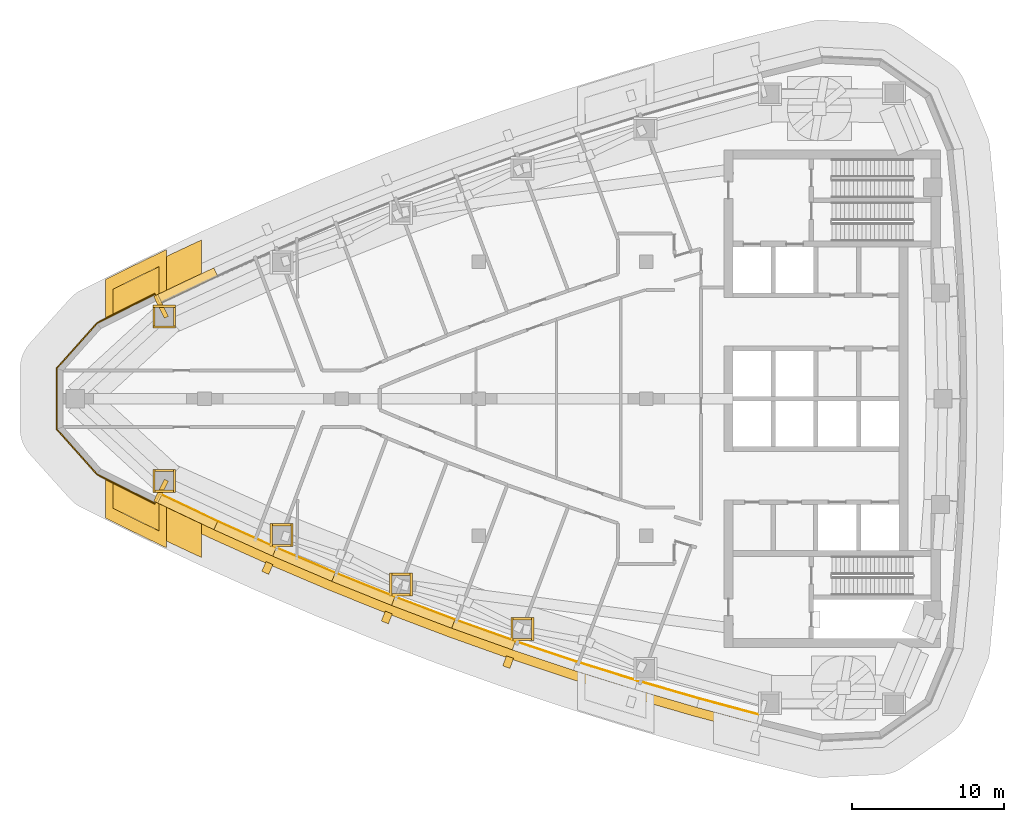
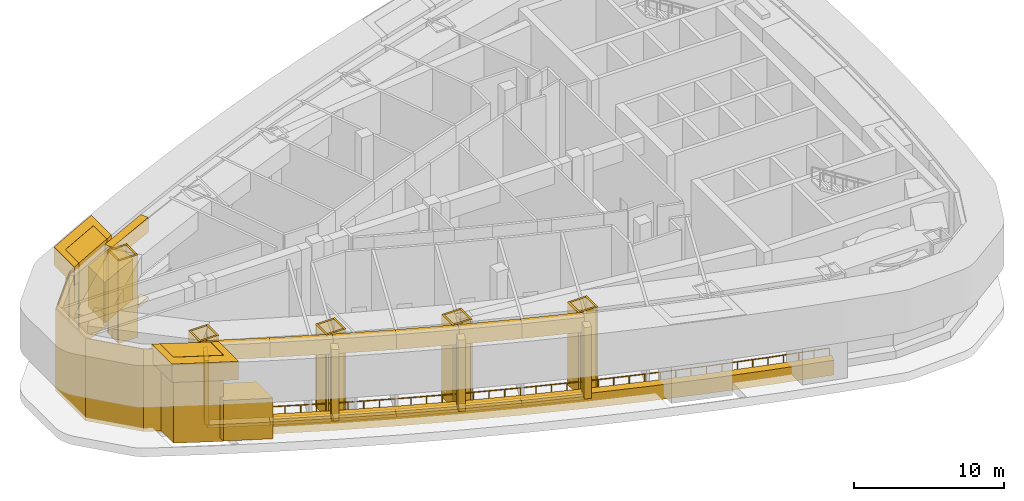
# One storey, part 7 of 12: 51 coverings, 1 railing.
"""IFC4 building model written with IfcOpenShell, lengths in metres."""

from ifc_helpers import new_model, si_unit, direction, frame, frame_2d, origin, origin_2d, place, context, subcontext, project, spatial, polyline, rectangle, circle, outline, extrude, material, layer, layer_set, type_object, element, save


model = new_model("IFC4")

# Units and contexts
model_context = context("Model", 3, precision=1e-05, world=origin(), true_north=direction((0.0, 1.0)))
body_context = subcontext(model_context, "Body", "Model", "MODEL_VIEW")
ifc_project = project(units=[si_unit("LENGTHUNIT", "METRE"), si_unit("AREAUNIT", "SQUARE_METRE"), si_unit("VOLUMEUNIT", "CUBIC_METRE"), si_unit("PLANEANGLEUNIT", "RADIAN"), si_unit("MASSUNIT", "GRAM", prefix="KILO")], contexts=[model_context])

# Site, building, storey
site_placement = place(None, origin())
site = spatial("IfcSite", under=ifc_project, at=site_placement, CompositionType="ELEMENT")
building_placement = place(site_placement, origin())
building = spatial("IfcBuilding", under=site, at=building_placement, Name="Ostrand Prow Hotel Tower", CompositionType="ELEMENT")
storey_placement = place(building_placement, frame((0.0, 0.0, 256.300048828125)))
storey = spatial("IfcBuildingStorey", under=building, at=storey_placement, Name="L65", CompositionType="ELEMENT", Elevation=256.300048828125)

# Coverings
ifc_material_1 = material(Name="Limestone cladding", Category="masonry")
ifc_layer_1 = layer(ifc_material_1, 2.0)
ifc_layer_set_1 = layer_set([ifc_layer_1], Name="Limestone cladding")
covering_type_1 = type_object("IfcCoveringType", Name="Belt lip limestone", PredefinedType="CLADDING", material=ifc_layer_set_1)
covering_1_placement = place(storey_placement, frame((0.0, 0.0, 0.300048828125)))
element("IfcCovering", 1, at=covering_1_placement, inside=storey, type_object=covering_type_1, Name="Slot frame post SA", PredefinedType="CLADDING", context=body_context, shape_type="SweptSolid", body=[
    extrude(outline(polyline([(12.788818359375, -6.784912109375), (12.788818359375, -9.007080078125), (13.538818359375, -9.366455078125), (14.288818359375, -9.72216796875), (15.038818359375, -10.07421875), (15.788818359375, -10.4228515625), (15.788818359375, -8.21728515625), (15.038818359375, -7.864501953125), (14.288818359375, -7.50830078125), (13.538818359375, -7.1484375), (12.788818359375, -6.784912109375)])), origin(), (0.0, 0.0, 1.0), 3.2998046875),
])
covering_2_placement = place(storey_placement, frame((0.0, 0.0, 0.300048828125)))
element("IfcCovering", 2, at=covering_2_placement, inside=storey, type_object=covering_type_1, Name="Slot frame post NA", PredefinedType="CLADDING", context=body_context, shape_type="SweptSolid", body=[
    extrude(outline(polyline([(12.788818359375, 6.784912109375), (13.538818359375, 7.1484375), (14.288818359375, 7.50830078125), (15.038818359375, 7.864501953125), (15.788818359375, 8.21728515625), (15.788818359375, 10.4228515625), (15.038818359375, 10.07421875), (14.288818359375, 9.72216796875), (13.538818359375, 9.366455078125), (12.788818359375, 9.007080078125), (12.788818359375, 6.784912109375)])), origin(), (0.0, 0.0, 1.0), 3.2998046875),
])
ifc_material_2 = material(Name="Bronze anodised aluminium cladding", Category="aluminium")
ifc_layer_2 = layer(ifc_material_2, 0.60009765625)
ifc_layer_set_2 = layer_set([ifc_layer_2], Name="Bronze anodised aluminium cladding")
covering_type_2 = type_object("IfcCoveringType", Name="Bronze spandrel band 1200x600", PredefinedType="CLADDING", material=ifc_layer_set_2)
covering_3_placement = place(storey_placement, frame((0.0, 0.0, -0.300048828125)))
element("IfcCovering", 3, at=covering_3_placement, inside=storey, type_object=covering_type_2, Name="Spandrel band S1", PredefinedType="CLADDING", context=body_context, shape_type="SweptSolid", body=[
    extrude(outline(polyline([(12.526123046875, -7.324462890625), (16.35693359375, -9.14306640625), (20.2236328125, -10.88427734375), (24.12451171875, -12.547119140625), (28.058349609375, -14.131103515625), (32.02294921875, -15.635498046875), (36.017333984375, -17.059814453125), (40.039306640625, -18.403564453125), (44.087890625, -19.665771484375), (48.16064453125, -20.846435546875), (52.256591796875, -21.944580078125), (52.40625, -21.363525390625), (48.322021484375, -20.268310546875), (44.260498046875, -19.09130859375), (40.223876953125, -17.83251953125), (36.213134765625, -16.49267578125), (32.230224609375, -15.072509765625), (28.27685546875, -13.572265625), (24.354248046875, -11.992919921875), (20.464599609375, -10.334716796875), (16.60888671875, -8.598388671875), (12.788818359375, -6.784912109375), (12.526123046875, -7.324462890625)])), origin(), (0.0, 0.0, 1.0), 1.199951171875),
])
ifc_material_3 = material(Name="Limestone cladding", Category="masonry")
ifc_layer_3 = layer(ifc_material_3, 5.0)
ifc_layer_set_3 = layer_set([ifc_layer_3], Name="Limestone cladding")
covering_type_3 = type_object("IfcCoveringType", Name="Portal jamb pilaster limestone", PredefinedType="CLADDING", material=ifc_layer_set_3)
covering_4_placement = place(storey_placement, origin())
element("IfcCovering", 4, at=covering_4_placement, inside=storey, type_object=covering_type_3, Name="Portal jamb SA L65", PredefinedType="CLADDING", context=body_context, shape_type="SweptSolid", body=[
    extrude(outline(polyline([(10.0, -5.40087890625), (10.0, -7.19189453125), (11.0, -7.689453125), (12.0, -8.180419921875), (13.0, -8.664794921875), (13.0, -6.8876953125), (12.0, -6.398681640625), (11.0, -5.903076171875), (10.0, -5.40087890625)])), origin(), (0.0, 0.0, 1.0), 7.0),
])
covering_5_placement = place(storey_placement, origin())
element("IfcCovering", 5, at=covering_5_placement, inside=storey, type_object=covering_type_3, Name="Portal jamb NA L65", PredefinedType="CLADDING", context=body_context, shape_type="SweptSolid", body=[
    extrude(outline(polyline([(10.0, 5.40087890625), (11.0, 5.903076171875), (12.0, 6.398681640625), (13.0, 6.8876953125), (13.0, 8.664794921875), (12.0, 8.180419921875), (11.0, 7.689453125), (10.0, 7.19189453125), (10.0, 5.40087890625)])), origin(), (0.0, 0.0, 1.0), 7.0),
])
ifc_material_4 = material(Name="Limestone cladding", Category="masonry")
ifc_layer_4 = layer(ifc_material_4, 4.0)
ifc_layer_set_4 = layer_set([ifc_layer_4], Name="Limestone cladding")
covering_type_4 = type_object("IfcCoveringType", Name="Portal lintel limestone", PredefinedType="CLADDING", material=ifc_layer_set_4)
covering_6_placement = place(storey_placement, frame((0.0, 0.0, 5.5)))
element("IfcCovering", 6, at=covering_6_placement, inside=storey, type_object=covering_type_4, Name="Portal jamb cap SA L65", PredefinedType="CLADDING", context=body_context, shape_type="SweptSolid", body=[
    extrude(outline(polyline([(9.991455078125, -5.3955078125), (9.5, -5.147216796875), (9.5, -7.836181640625), (10.5, -8.334716796875), (11.5, -8.82666015625), (12.5, -9.31201171875), (13.5, -9.791015625), (13.5, -7.1298828125), (13.010009765625, -6.891845703125), (13.010009765625, -8.664794921875), (13.010009765625, -8.666015625), (13.009765625, -8.666748046875), (13.009521484375, -8.667724609375), (13.00927734375, -8.668701171875), (13.0087890625, -8.669677734375), (13.00830078125, -8.67041015625), (13.0078125, -8.671142578125), (13.007080078125, -8.671875), (13.006591796875, -8.672607421875), (13.005615234375, -8.673095703125), (13.0048828125, -8.673583984375), (13.00390625, -8.674072265625), (13.003173828125, -8.67431640625), (13.002197265625, -8.6748046875), (13.001220703125, -8.6748046875), (13.000244140625, -8.6748046875), (12.999267578125, -8.6748046875), (12.998291015625, -8.6748046875), (12.997314453125, -8.674560546875), (12.99658203125, -8.67431640625), (12.99560546875, -8.673828125), (11.99560546875, -8.189453125), (11.99560546875, -8.189453125), (10.99560546875, -7.698486328125), (10.99560546875, -7.698486328125), (9.99560546875, -7.200927734375), (9.99462890625, -7.200439453125), (9.993896484375, -7.199951171875), (9.9931640625, -7.19921875), (9.992431640625, -7.198486328125), (9.99169921875, -7.19775390625), (9.9912109375, -7.19677734375), (9.99072265625, -7.19580078125), (9.990478515625, -7.19482421875), (9.990234375, -7.194091796875), (9.989990234375, -7.193115234375), (9.989990234375, -7.19189453125), (9.989990234375, -5.40087890625), (9.989990234375, -5.39990234375), (9.990234375, -5.39892578125), (9.990478515625, -5.39794921875), (9.99072265625, -5.39697265625), (9.9912109375, -5.396240234375), (9.991455078125, -5.3955078125)])), origin(), (0.0, 0.0, 1.0), 1.5),
])
covering_7_placement = place(storey_placement, frame((0.0, 0.0, 5.5)))
element("IfcCovering", 7, at=covering_7_placement, inside=storey, type_object=covering_type_4, Name="Portal jamb cap NA L65", PredefinedType="CLADDING", context=body_context, shape_type="SweptSolid", body=[
    extrude(outline(polyline([(9.5, 7.836181640625), (9.5, 5.147216796875), (9.991455078125, 5.3955078125), (9.9912109375, 5.396240234375), (9.99072265625, 5.39697265625), (9.990478515625, 5.39794921875), (9.990234375, 5.39892578125), (9.989990234375, 5.39990234375), (9.989990234375, 5.40087890625), (9.989990234375, 7.19189453125), (9.989990234375, 7.193115234375), (9.990234375, 7.194091796875), (9.990478515625, 7.19482421875), (9.99072265625, 7.19580078125), (9.9912109375, 7.19677734375), (9.99169921875, 7.19775390625), (9.992431640625, 7.198486328125), (9.9931640625, 7.19921875), (9.993896484375, 7.199951171875), (9.99462890625, 7.200439453125), (9.99560546875, 7.200927734375), (10.99560546875, 7.698486328125), (10.99560546875, 7.698486328125), (11.99560546875, 8.189453125), (11.99560546875, 8.189453125), (12.99560546875, 8.673828125), (12.99658203125, 8.67431640625), (12.997314453125, 8.674560546875), (12.998291015625, 8.6748046875), (12.999267578125, 8.6748046875), (13.000244140625, 8.6748046875), (13.001220703125, 8.6748046875), (13.002197265625, 8.6748046875), (13.003173828125, 8.67431640625), (13.00390625, 8.674072265625), (13.0048828125, 8.673583984375), (13.005615234375, 8.673095703125), (13.006591796875, 8.672607421875), (13.007080078125, 8.671875), (13.0078125, 8.671142578125), (13.00830078125, 8.67041015625), (13.0087890625, 8.669677734375), (13.00927734375, 8.668701171875), (13.009521484375, 8.667724609375), (13.009765625, 8.666748046875), (13.010009765625, 8.666015625), (13.010009765625, 8.664794921875), (13.010009765625, 6.891845703125), (13.5, 7.1298828125), (13.5, 9.791015625), (12.5, 9.31201171875), (11.5, 8.82666015625), (10.5, 8.334716796875), (9.5, 7.836181640625)])), origin(), (0.0, 0.0, 1.0), 1.5),
])
ifc_material_5 = material(Name="Limestone cladding", Category="masonry")
ifc_layer_5 = layer(ifc_material_5, 0.5)
ifc_layer_set_5 = layer_set([ifc_layer_5], Name="Limestone cladding")
covering_type_5 = type_object("IfcCoveringType", Name="Precast stone fin 500x600", PredefinedType="CLADDING", material=ifc_layer_set_5)
for number, where, z_axis, x_axis, name in (
    (8, (20.263916015625, -10.79248046875, 0.89990234375), (0.0, 0.0, 1.0), (-0.40144082023, -0.915884964312, 0.0), "Stone fin S 3"),
    (9, (28.0947265625, -14.0380859375, 0.89990234375), (0.0, 0.0, 1.0), (-0.364465099475, -0.931217048418, 0.0), "Stone fin S 5"),
    (10, (36.0498046875, -16.96533203125, 0.89990234375), (0.0, 0.0, 1.0), (-0.32646359768, -0.945209775335, 0.0), "Stone fin S 7"),
):
    element("IfcCovering", number, at=place(storey_placement, frame(where, z_axis=z_axis, x_axis=x_axis)), inside=storey, type_object=covering_type_5, Name=name, PredefinedType="CLADDING", context=body_context, shape_type="SweptSolid", body=[
        extrude(rectangle(XDim=0.699951171875, YDim=0.5, at=frame_2d((0.35009765625, 0.0))), origin(), (0.0, 0.0, 1.0), 5.800048828125),
    ])

# Railing
ifc_material_6 = material(Name="Stainless steel", Category="steel")
railing_type = type_object("IfcRailingType", Name="Slot floor guard 1100", PredefinedType="GUARDRAIL", material=ifc_material_6)
railing_placement = place(storey_placement, frame((13.051513671875, -6.24560546875, 0.0)))
element("IfcRailing", 11, at=railing_placement, inside=storey, type_object=railing_type, Name="Slot floor guard S", PredefinedType="GUARDRAIL", context=body_context, shape_type="SweptSolid", body=[
    extrude(circle(Radius=0.02392578125, at=origin_2d()), frame((0.0, 0.0, 1.076171875), z_axis=(0.9033661224, -0.428870200527, 0.0), x_axis=(0.428870200527, 0.9033661224, 0.0)), (0.0, 0.0, 1.0), 4.216552734375),
    extrude(circle(Radius=0.02392578125, at=origin_2d()), frame((3.80908203125, -1.808349609375, 1.076171875), z_axis=(0.911826142411, -0.410576528818, 0.0), x_axis=(0.410576528818, 0.911826142411, 0.0)), (0.0, 0.0, 1.0), 4.216552734375),
    extrude(circle(Radius=0.02392578125, at=origin_2d()), frame((7.65380859375, -3.53955078125, 1.076171875), z_axis=(0.919912992609, -0.392122539557, 0.0), x_axis=(0.392122539557, 0.919912992609, 0.0)), (0.0, 0.0, 1.0), 4.21630859375),
    extrude(circle(Radius=0.02392578125, at=origin_2d()), frame((11.532470703125, -5.19287109375, 1.076171875), z_axis=(0.92762371786, -0.373516047932, 0.0), x_axis=(0.373516047932, 0.92762371786, 0.0)), (0.0, 0.0, 1.0), 4.216552734375),
    extrude(circle(Radius=0.02392578125, at=origin_2d()), frame((15.44384765625, -6.767822265625, 1.076171875), z_axis=(0.934934614515, -0.354820048167, 0.0), x_axis=(0.354820048167, 0.934934614515, 0.0)), (0.0, 0.0, 1.0), 4.216552734375),
    extrude(circle(Radius=0.02392578125, at=origin_2d()), frame((19.385986328125, -8.263916015625, 1.076171875), z_axis=(0.941918636434, -0.33584115641, 0.0), x_axis=(0.33584115641, 0.941918636434, 0.0)), (0.0, 0.0, 1.0), 4.21630859375),
    extrude(circle(Radius=0.02392578125, at=origin_2d()), frame((23.357421875, -9.679931640625, 1.076171875), z_axis=(0.948480448854, -0.316835664253, 0.0), x_axis=(0.316835664253, 0.948480448854, 0.0)), (0.0, 0.0, 1.0), 4.216552734375),
    extrude(circle(Radius=0.02392578125, at=origin_2d()), frame((27.356689453125, -11.015869140625, 1.076171875), z_axis=(0.9546642231, -0.297684768057, 0.0), x_axis=(0.297684768057, 0.9546642231, 0.0)), (0.0, 0.0, 1.0), 4.21630859375),
    extrude(circle(Radius=0.02392578125, at=origin_2d()), frame((31.3818359375, -12.27099609375, 1.076171875), z_axis=(0.960468161109, -0.278389855233, 0.0), x_axis=(0.278389855233, 0.960468161109, 0.0)), (0.0, 0.0, 1.0), 4.216552734375),
    extrude(circle(Radius=0.02392578125, at=origin_2d()), frame((35.431640625, -13.44482421875, 1.076171875), z_axis=(0.965877467492, -0.258999455194, 0.0), x_axis=(0.258999455194, 0.965877467492, 0.0)), (0.0, 0.0, 1.0), 4.21630859375),
    extrude(circle(Radius=0.02099609375, at=origin_2d()), origin(), (0.0, 0.0, 1.0), 1.052001953125),
    extrude(circle(Radius=0.02099609375, at=origin_2d()), frame((0.9521484375, -0.4521484375, 0.0)), (0.0, 0.0, 1.0), 1.052001953125),
    extrude(circle(Radius=0.02099609375, at=origin_2d()), frame((1.904541015625, -0.904296875, 0.0)), (0.0, 0.0, 1.0), 1.052001953125),
    extrude(circle(Radius=0.02099609375, at=origin_2d()), frame((2.85693359375, -1.356201171875, 0.0)), (0.0, 0.0, 1.0), 1.052001953125),
    extrude(circle(Radius=0.02099609375, at=origin_2d()), frame((3.80908203125, -1.808349609375, 0.0)), (0.0, 0.0, 1.0), 1.052001953125),
    extrude(circle(Radius=0.02099609375, at=origin_2d()), frame((4.770263671875, -2.2412109375, 0.0)), (0.0, 0.0, 1.0), 1.052001953125),
    extrude(circle(Radius=0.02099609375, at=origin_2d()), frame((5.7314453125, -2.673828125, 0.0)), (0.0, 0.0, 1.0), 1.052001953125),
    extrude(circle(Radius=0.02099609375, at=origin_2d()), frame((6.692626953125, -3.106689453125, 0.0)), (0.0, 0.0, 1.0), 1.052001953125),
    extrude(circle(Radius=0.02099609375, at=origin_2d()), frame((7.65380859375, -3.53955078125, 0.0)), (0.0, 0.0, 1.0), 1.052001953125),
    extrude(circle(Radius=0.02099609375, at=origin_2d()), frame((8.62353515625, -3.952880859375, 0.0)), (0.0, 0.0, 1.0), 1.052001953125),
    extrude(circle(Radius=0.02099609375, at=origin_2d()), frame((9.59326171875, -4.3662109375, 0.0)), (0.0, 0.0, 1.0), 1.052001953125),
    extrude(circle(Radius=0.02099609375, at=origin_2d()), frame((10.562744140625, -4.779541015625, 0.0)), (0.0, 0.0, 1.0), 1.052001953125),
    extrude(circle(Radius=0.02099609375, at=origin_2d()), frame((11.532470703125, -5.19287109375, 0.0)), (0.0, 0.0, 1.0), 1.052001953125),
    extrude(circle(Radius=0.02099609375, at=origin_2d()), frame((12.51025390625, -5.586669921875, 0.0)), (0.0, 0.0, 1.0), 1.052001953125),
    extrude(circle(Radius=0.02099609375, at=origin_2d()), frame((13.48828125, -5.98046875, 0.0)), (0.0, 0.0, 1.0), 1.052001953125),
    extrude(circle(Radius=0.02099609375, at=origin_2d()), frame((14.466064453125, -6.3740234375, 0.0)), (0.0, 0.0, 1.0), 1.052001953125),
    extrude(circle(Radius=0.02099609375, at=origin_2d()), frame((15.44384765625, -6.767822265625, 0.0)), (0.0, 0.0, 1.0), 1.052001953125),
    extrude(circle(Radius=0.02099609375, at=origin_2d()), frame((16.429443359375, -7.141845703125, 0.0)), (0.0, 0.0, 1.0), 1.052001953125),
    extrude(circle(Radius=0.02099609375, at=origin_2d()), frame((17.4150390625, -7.515869140625, 0.0)), (0.0, 0.0, 1.0), 1.052001953125),
    extrude(circle(Radius=0.02099609375, at=origin_2d()), frame((18.400390625, -7.889892578125, 0.0)), (0.0, 0.0, 1.0), 1.052001953125),
    extrude(circle(Radius=0.02099609375, at=origin_2d()), frame((19.385986328125, -8.263916015625, 0.0)), (0.0, 0.0, 1.0), 1.052001953125),
    extrude(circle(Radius=0.02099609375, at=origin_2d()), frame((20.37890625, -8.617919921875, 0.0)), (0.0, 0.0, 1.0), 1.052001953125),
    extrude(circle(Radius=0.02099609375, at=origin_2d()), frame((21.37158203125, -8.971923828125, 0.0)), (0.0, 0.0, 1.0), 1.052001953125),
    extrude(circle(Radius=0.02099609375, at=origin_2d()), frame((22.364501953125, -9.325927734375, 0.0)), (0.0, 0.0, 1.0), 1.052001953125),
    extrude(circle(Radius=0.02099609375, at=origin_2d()), frame((23.357421875, -9.679931640625, 0.0)), (0.0, 0.0, 1.0), 1.052001953125),
    extrude(circle(Radius=0.02099609375, at=origin_2d()), frame((24.357177734375, -10.013916015625, 0.0)), (0.0, 0.0, 1.0), 1.052001953125),
    extrude(circle(Radius=0.02099609375, at=origin_2d()), frame((25.35693359375, -10.347900390625, 0.0)), (0.0, 0.0, 1.0), 1.052001953125),
    extrude(circle(Radius=0.02099609375, at=origin_2d()), frame((26.35693359375, -10.681884765625, 0.0)), (0.0, 0.0, 1.0), 1.052001953125),
    extrude(circle(Radius=0.02099609375, at=origin_2d()), frame((27.356689453125, -11.015869140625, 0.0)), (0.0, 0.0, 1.0), 1.052001953125),
    extrude(circle(Radius=0.02099609375, at=origin_2d()), frame((28.363037109375, -11.32958984375, 0.0)), (0.0, 0.0, 1.0), 1.052001953125),
    extrude(circle(Radius=0.02099609375, at=origin_2d()), frame((29.369140625, -11.6435546875, 0.0)), (0.0, 0.0, 1.0), 1.052001953125),
    extrude(circle(Radius=0.02099609375, at=origin_2d()), frame((30.37548828125, -11.957275390625, 0.0)), (0.0, 0.0, 1.0), 1.052001953125),
    extrude(circle(Radius=0.02099609375, at=origin_2d()), frame((31.3818359375, -12.27099609375, 0.0)), (0.0, 0.0, 1.0), 1.052001953125),
    extrude(circle(Radius=0.02099609375, at=origin_2d()), frame((32.394287109375, -12.564453125, 0.0)), (0.0, 0.0, 1.0), 1.052001953125),
    extrude(circle(Radius=0.02099609375, at=origin_2d()), frame((33.40673828125, -12.85791015625, 0.0)), (0.0, 0.0, 1.0), 1.052001953125),
    extrude(circle(Radius=0.02099609375, at=origin_2d()), frame((34.419189453125, -13.1513671875, 0.0)), (0.0, 0.0, 1.0), 1.052001953125),
    extrude(circle(Radius=0.02099609375, at=origin_2d()), frame((35.431640625, -13.44482421875, 0.0)), (0.0, 0.0, 1.0), 1.052001953125),
    extrude(circle(Radius=0.02099609375, at=origin_2d()), frame((36.44970703125, -13.7177734375, 0.0)), (0.0, 0.0, 1.0), 1.052001953125),
    extrude(circle(Radius=0.02099609375, at=origin_2d()), frame((37.4677734375, -13.99072265625, 0.0)), (0.0, 0.0, 1.0), 1.052001953125),
    extrude(circle(Radius=0.02099609375, at=origin_2d()), frame((38.486083984375, -14.263916015625, 0.0)), (0.0, 0.0, 1.0), 1.052001953125),
    extrude(circle(Radius=0.02099609375, at=origin_2d()), frame((39.504150390625, -14.536865234375, 0.0)), (0.0, 0.0, 1.0), 1.052001953125),
])

# Coverings
ifc_material_7 = material(Name="Limestone cladding", Category="masonry")
ifc_layer_6 = layer(ifc_material_7, 0.60009765625)
ifc_layer_set_6 = layer_set([ifc_layer_6], Name="Limestone cladding")
covering_type_6 = type_object("IfcCoveringType", Name="Slot reveal limestone cladding 600 mm", PredefinedType="CLADDING", material=ifc_layer_set_6)
covering_8_placement = place(storey_placement, frame((12.920166015625, -6.515380859375, 0.0), z_axis=(0.0, 0.0, 1.0), x_axis=(0.903376077806, -0.428849229972, 0.0)))
element("IfcCovering", 12, at=covering_8_placement, inside=storey, type_object=covering_type_6, Name="Slot reveal sill S1", PredefinedType="CLADDING", context=body_context, shape_type="SweptSolid", body=[
    extrude(rectangle(XDim=4.222412109375, YDim=0.60009765625, at=frame_2d((2.111328125, 0.0))), origin(), (0.0, 0.0, 1.0), 0.25),
])
covering_9_placement = place(storey_placement, frame((12.920166015625, -6.515380859375, 5.5), z_axis=(0.0, 0.0, 1.0), x_axis=(0.903376077806, -0.428849229972, 0.0)))
element("IfcCovering", 13, at=covering_9_placement, inside=storey, type_object=covering_type_6, Name="Slot reveal soffit S1", PredefinedType="CLADDING", context=body_context, shape_type="SweptSolid", body=[
    extrude(rectangle(XDim=4.222412109375, YDim=0.60009765625, at=frame_2d((2.111328125, 0.0))), origin(), (0.0, 0.0, 1.0), 1.199951171875),
])
covering_10_placement = place(storey_placement, frame((16.734619140625, -8.326171875, 0.0), z_axis=(0.0, 0.0, 1.0), x_axis=(0.911833857185, -0.410559395084, 0.0)))
element("IfcCovering", 14, at=covering_10_placement, inside=storey, type_object=covering_type_6, Name="Slot reveal sill S2", PredefinedType="CLADDING", context=body_context, shape_type="SweptSolid", body=[
    extrude(rectangle(XDim=4.22265625, YDim=0.60009765625, at=frame_2d((2.111328125, 0.0))), origin(), (0.0, 0.0, 1.0), 0.25),
])
covering_11_placement = place(storey_placement, frame((16.734619140625, -8.326171875, 5.5), z_axis=(0.0, 0.0, 1.0), x_axis=(0.911833857185, -0.410559395084, 0.0)))
element("IfcCovering", 15, at=covering_11_placement, inside=storey, type_object=covering_type_6, Name="Slot reveal soffit S2", PredefinedType="CLADDING", context=body_context, shape_type="SweptSolid", body=[
    extrude(rectangle(XDim=4.22265625, YDim=0.60009765625, at=frame_2d((2.111328125, 0.0))), origin(), (0.0, 0.0, 1.0), 1.199951171875),
])
covering_12_placement = place(storey_placement, frame((20.5849609375, -10.059814453125, 0.0), z_axis=(0.0, 0.0, 1.0), x_axis=(0.919888046643, -0.392181057221, 0.0)))
element("IfcCovering", 16, at=covering_12_placement, inside=storey, type_object=covering_type_6, Name="Slot reveal sill S3", PredefinedType="CLADDING", context=body_context, shape_type="SweptSolid", body=[
    extrude(rectangle(XDim=4.22265625, YDim=0.60009765625, at=frame_2d((2.111328125, 0.0))), origin(), (0.0, 0.0, 1.0), 0.25),
])
covering_13_placement = place(storey_placement, frame((20.5849609375, -10.059814453125, 5.5), z_axis=(0.0, 0.0, 1.0), x_axis=(0.919888046643, -0.392181057221, 0.0)))
element("IfcCovering", 17, at=covering_13_placement, inside=storey, type_object=covering_type_6, Name="Slot reveal soffit S3", PredefinedType="CLADDING", context=body_context, shape_type="SweptSolid", body=[
    extrude(rectangle(XDim=4.22265625, YDim=0.60009765625, at=frame_2d((2.111328125, 0.0))), origin(), (0.0, 0.0, 1.0), 1.199951171875),
])
covering_14_placement = place(storey_placement, frame((24.46923828125, -11.7158203125, 0.0), z_axis=(0.0, 0.0, 1.0), x_axis=(0.927620882998, -0.373523088211, 0.0)))
element("IfcCovering", 18, at=covering_14_placement, inside=storey, type_object=covering_type_6, Name="Slot reveal sill S4", PredefinedType="CLADDING", context=body_context, shape_type="SweptSolid", body=[
    extrude(rectangle(XDim=4.222412109375, YDim=0.60009765625, at=frame_2d((2.111328125, 0.0))), origin(), (0.0, 0.0, 1.0), 0.25),
])
covering_15_placement = place(storey_placement, frame((24.46923828125, -11.7158203125, 5.5), z_axis=(0.0, 0.0, 1.0), x_axis=(0.927620882998, -0.373523088211, 0.0)))
element("IfcCovering", 19, at=covering_15_placement, inside=storey, type_object=covering_type_6, Name="Slot reveal soffit S4", PredefinedType="CLADDING", context=body_context, shape_type="SweptSolid", body=[
    extrude(rectangle(XDim=4.222412109375, YDim=0.60009765625, at=frame_2d((2.111328125, 0.0))), origin(), (0.0, 0.0, 1.0), 1.199951171875),
])
covering_16_placement = place(storey_placement, frame((28.385986328125, -13.29296875, 0.0), z_axis=(0.0, 0.0, 1.0), x_axis=(0.934948592848, -0.354783213712, 0.0)))
element("IfcCovering", 20, at=covering_16_placement, inside=storey, type_object=covering_type_6, Name="Slot reveal sill S5", PredefinedType="CLADDING", context=body_context, shape_type="SweptSolid", body=[
    extrude(rectangle(XDim=4.222412109375, YDim=0.60009765625, at=frame_2d((2.111328125, 0.0))), origin(), (0.0, 0.0, 1.0), 0.25),
])
covering_17_placement = place(storey_placement, frame((28.385986328125, -13.29296875, 5.5), z_axis=(0.0, 0.0, 1.0), x_axis=(0.934948592848, -0.354783213712, 0.0)))
element("IfcCovering", 21, at=covering_17_placement, inside=storey, type_object=covering_type_6, Name="Slot reveal soffit S5", PredefinedType="CLADDING", context=body_context, shape_type="SweptSolid", body=[
    extrude(rectangle(XDim=4.222412109375, YDim=0.60009765625, at=frame_2d((2.111328125, 0.0))), origin(), (0.0, 0.0, 1.0), 1.199951171875),
])
covering_18_placement = place(storey_placement, frame((32.333740234375, -14.791015625, 0.0), z_axis=(0.0, 0.0, 1.0), x_axis=(0.941910537463, -0.335863870365, 0.0)))
element("IfcCovering", 22, at=covering_18_placement, inside=storey, type_object=covering_type_6, Name="Slot reveal sill S6", PredefinedType="CLADDING", context=body_context, shape_type="SweptSolid", body=[
    extrude(rectangle(XDim=4.22265625, YDim=0.60009765625, at=frame_2d((2.111328125, 0.0))), origin(), (0.0, 0.0, 1.0), 0.25),
])
covering_19_placement = place(storey_placement, frame((32.333740234375, -14.791015625, 5.5), z_axis=(0.0, 0.0, 1.0), x_axis=(0.941910537463, -0.335863870365, 0.0)))
element("IfcCovering", 23, at=covering_19_placement, inside=storey, type_object=covering_type_6, Name="Slot reveal soffit S6", PredefinedType="CLADDING", context=body_context, shape_type="SweptSolid", body=[
    extrude(rectangle(XDim=4.22265625, YDim=0.60009765625, at=frame_2d((2.111328125, 0.0))), origin(), (0.0, 0.0, 1.0), 1.199951171875),
])
covering_20_placement = place(storey_placement, frame((12.788818359375, -6.784912109375, 0.25), z_axis=(0.0, 0.0, 1.0), x_axis=(0.437972585628, 0.898988328199, 0.0)))
element("IfcCovering", 24, at=covering_20_placement, inside=storey, type_object=covering_type_6, Name="Slot reveal jamb SA", PredefinedType="CLADDING", context=body_context, shape_type="SweptSolid", body=[
    extrude(rectangle(XDim=1.599853515625, YDim=0.300048828125, at=frame_2d((0.7998046875, 0.0))), origin(), (0.0, 0.0, 1.0), 5.25),
])
covering_21_placement = place(storey_placement, frame((16.734619140625, 8.326171875, 0.0), z_axis=(0.0, 0.0, 1.0), x_axis=(-0.903376077806, -0.428849229972, 0.0)))
element("IfcCovering", 25, at=covering_21_placement, inside=storey, type_object=covering_type_6, Name="Slot reveal sill N10", PredefinedType="CLADDING", context=body_context, shape_type="SweptSolid", body=[
    extrude(rectangle(XDim=4.222412109375, YDim=0.60009765625, at=frame_2d((2.111328125, 0.0))), origin(), (0.0, 0.0, 1.0), 0.25),
])
covering_22_placement = place(storey_placement, frame((16.734619140625, 8.326171875, 5.5), z_axis=(0.0, 0.0, 1.0), x_axis=(-0.903376077806, -0.428849229972, 0.0)))
element("IfcCovering", 26, at=covering_22_placement, inside=storey, type_object=covering_type_6, Name="Slot reveal soffit N10", PredefinedType="CLADDING", context=body_context, shape_type="SweptSolid", body=[
    extrude(rectangle(XDim=4.222412109375, YDim=0.60009765625, at=frame_2d((2.111328125, 0.0))), origin(), (0.0, 0.0, 1.0), 1.199951171875),
])
covering_23_placement = place(storey_placement, frame((12.788818359375, 6.784912109375, 0.25), z_axis=(0.0, 0.0, 1.0), x_axis=(0.437972585628, -0.898988328199, 0.0)))
element("IfcCovering", 27, at=covering_23_placement, inside=storey, type_object=covering_type_6, Name="Slot reveal jamb NB", PredefinedType="CLADDING", context=body_context, shape_type="SweptSolid", body=[
    extrude(rectangle(XDim=1.599853515625, YDim=0.300048828125, at=frame_2d((0.7998046875, 0.0))), origin(), (0.0, 0.0, 1.0), 5.25),
])
for number, where, z_axis, x_axis, name in (
    (28, (12.606201171875, -6.06787109375, 0.0), (0.0, 0.0, 1.0), (1.0, 0.0, 0.0), "Slot column sleeve MC-S1 1"),
    (29, (14.031005859375, -6.142822265625, 0.0), (0.0, 0.0, 1.0), (0.0, 1.0, 0.0), "Slot column sleeve MC-S1 2"),
    (30, (14.106201171875, -4.7177734375, 0.0), (0.0, 0.0, 1.0), (-1.0, 0.0, 0.0), "Slot column sleeve MC-S1 3"),
    (31, (12.68115234375, -4.642822265625, 0.0), (0.0, 0.0, 1.0), (0.0, -1.0, 0.0), "Slot column sleeve MC-S1 4"),
    (32, (20.30859375, -9.63232421875, 0.0), (0.0, 0.0, 1.0), (1.0, 0.0, 0.0), "Slot column sleeve MC-S2 1"),
    (33, (21.733642578125, -9.70751953125, 0.0), (0.0, 0.0, 1.0), (0.0, 1.0, 0.0), "Slot column sleeve MC-S2 2"),
    (34, (21.80859375, -8.282470703125, 0.0), (0.0, 0.0, 1.0), (-1.0, 0.0, 0.0), "Slot column sleeve MC-S2 3"),
    (35, (20.3837890625, -8.20751953125, 0.0), (0.0, 0.0, 1.0), (0.0, -1.0, 0.0), "Slot column sleeve MC-S2 4"),
    (36, (28.150146484375, -12.88037109375, 0.0), (0.0, 0.0, 1.0), (1.0, 0.0, 0.0), "Slot column sleeve MC-S3 1"),
    (37, (29.5751953125, -12.955322265625, 0.0), (0.0, 0.0, 1.0), (0.0, 1.0, 0.0), "Slot column sleeve MC-S3 2"),
    (38, (29.650146484375, -11.530517578125, 0.0), (0.0, 0.0, 1.0), (-1.0, 0.0, 0.0), "Slot column sleeve MC-S3 3"),
    (39, (28.22509765625, -11.455322265625, 0.0), (0.0, 0.0, 1.0), (0.0, -1.0, 0.0), "Slot column sleeve MC-S3 4"),
    (40, (36.1171875, -15.806640625, 0.0), (0.0, 0.0, 1.0), (1.0, 0.0, 0.0), "Slot column sleeve MC-S4 1"),
    (41, (37.542236328125, -15.881591796875, 0.0), (0.0, 0.0, 1.0), (0.0, 1.0, 0.0), "Slot column sleeve MC-S4 2"),
    (42, (37.6171875, -14.45654296875, 0.0), (0.0, 0.0, 1.0), (-1.0, 0.0, 0.0), "Slot column sleeve MC-S4 3"),
    (43, (36.192138671875, -14.381591796875, 0.0), (0.0, 0.0, 1.0), (0.0, -1.0, 0.0), "Slot column sleeve MC-S4 4"),
    (44, (12.606201171875, 4.7177734375, 0.0), (0.0, 0.0, 1.0), (1.0, 0.0, 0.0), "Slot column sleeve MC-N6 1"),
    (45, (14.031005859375, 4.642822265625, 0.0), (0.0, 0.0, 1.0), (0.0, 1.0, 0.0), "Slot column sleeve MC-N6 2"),
    (46, (14.106201171875, 6.06787109375, 0.0), (0.0, 0.0, 1.0), (-1.0, 0.0, 0.0), "Slot column sleeve MC-N6 3"),
    (47, (12.68115234375, 6.142822265625, 0.0), (0.0, 0.0, 1.0), (0.0, -1.0, 0.0), "Slot column sleeve MC-N6 4"),
):
    element("IfcCovering", number, at=place(storey_placement, frame(where, z_axis=z_axis, x_axis=x_axis)), inside=storey, type_object=covering_type_6, Name=name, PredefinedType="CLADDING", context=body_context, shape_type="SweptSolid", body=[
        extrude(rectangle(XDim=1.5, YDim=0.14990234375, at=frame_2d((0.75, 0.0))), origin(), (0.0, 0.0, 1.0), 6.699951171875),
    ])
ifc_material_8 = material(Name="Limestone cladding", Category="masonry")
ifc_layer_7 = layer(ifc_material_8, 0.080078125)
ifc_layer_set_7 = layer_set([ifc_layer_7], Name="Limestone cladding")
covering_type_7 = type_object("IfcCoveringType", Name="Warm limestone cladding 80 mm", PredefinedType="CLADDING", material=ifc_layer_set_7)
covering_24_placement = place(storey_placement, frame((12.744384765625, 6.87646484375, 0.0), z_axis=(0.0, 0.0, 1.0), x_axis=(-0.894554115737, -0.446959655918, 0.0)))
element("IfcCovering", 48, at=covering_24_placement, inside=storey, type_object=covering_type_7, Name="Limestone cladding prow 1", PredefinedType="CLADDING", context=body_context, shape_type="SweptSolid", body=[
    extrude(outline(polyline([(0.0, -0.0400390625), (4.238037109375, -0.0400390625), (4.222900390625, 0.0400390625), (0.0, 0.0400390625), (0.0, -0.0400390625)])), origin(), (0.0, 0.0, 1.0), 6.699951171875),
])
covering_25_placement = place(storey_placement, frame((8.9599609375, 4.985595703125, 0.0), z_axis=(0.0, 0.0, 1.0), x_axis=(-0.668068930846, -0.744099390968, 0.0)))
element("IfcCovering", 49, at=covering_25_placement, inside=storey, type_object=covering_type_7, Name="Limestone cladding prow 2", PredefinedType="CLADDING", context=body_context, shape_type="SweptSolid", body=[
    extrude(outline(polyline([(-0.007568359375, -0.0400390625), (4.022705078125, -0.0400390625), (3.991943359375, 0.0400390625), (0.007568359375, 0.0400390625), (-0.007568359375, -0.0400390625)])), origin(), (0.0, 0.0, 1.0), 6.699951171875),
])
covering_26_placement = place(storey_placement, frame((6.28271484375, 2.003662109375, 0.0), z_axis=(0.0, 0.0, 1.0), x_axis=(0.0, -1.0, 0.0)))
element("IfcCovering", 50, at=covering_26_placement, inside=storey, type_object=covering_type_7, Name="Limestone cladding prow 3", PredefinedType="CLADDING", context=body_context, shape_type="SweptSolid", body=[
    extrude(outline(polyline([(-0.015380859375, -0.0400390625), (4.022705078125, -0.0400390625), (3.991943359375, 0.0400390625), (0.015380859375, 0.0400390625), (-0.015380859375, -0.0400390625)])), origin(), (0.0, 0.0, 1.0), 6.699951171875),
])
covering_27_placement = place(storey_placement, frame((6.28271484375, -2.003662109375, 0.0), z_axis=(0.0, 0.0, 1.0), x_axis=(0.668068930846, -0.744099390968, 0.0)))
element("IfcCovering", 51, at=covering_27_placement, inside=storey, type_object=covering_type_7, Name="Limestone cladding prow 4", PredefinedType="CLADDING", context=body_context, shape_type="SweptSolid", body=[
    extrude(outline(polyline([(-0.015380859375, -0.0400390625), (4.014892578125, -0.0400390625), (3.999755859375, 0.0400390625), (0.015380859375, 0.0400390625), (-0.015380859375, -0.0400390625)])), origin(), (0.0, 0.0, 1.0), 6.699951171875),
])
covering_28_placement = place(storey_placement, frame((8.9599609375, -4.985595703125, 0.0), z_axis=(0.0, 0.0, 1.0), x_axis=(0.894554115737, -0.446959655918, 0.0)))
element("IfcCovering", 52, at=covering_28_placement, inside=storey, type_object=covering_type_7, Name="Limestone cladding prow 5", PredefinedType="CLADDING", context=body_context, shape_type="SweptSolid", body=[
    extrude(outline(polyline([(-0.007568359375, -0.0400390625), (4.23046875, -0.0400390625), (4.23046875, 0.0400390625), (0.007568359375, 0.0400390625), (-0.007568359375, -0.0400390625)])), origin(), (0.0, 0.0, 1.0), 6.699951171875),
])

save(model, "model.ifc")
